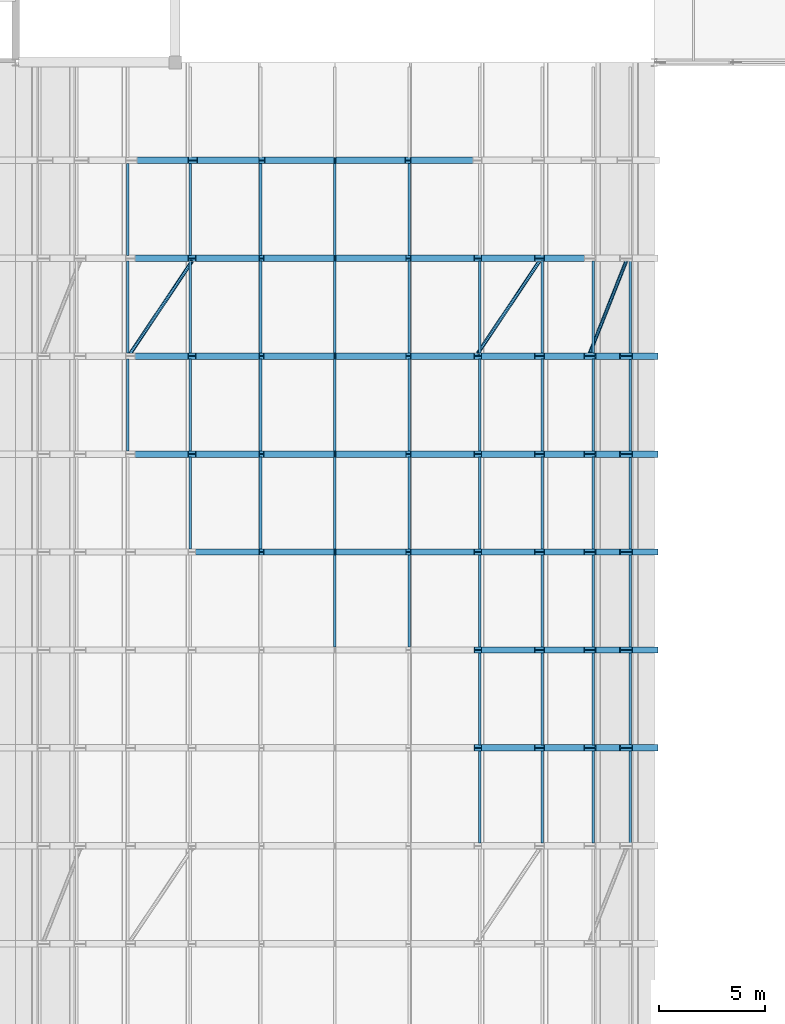
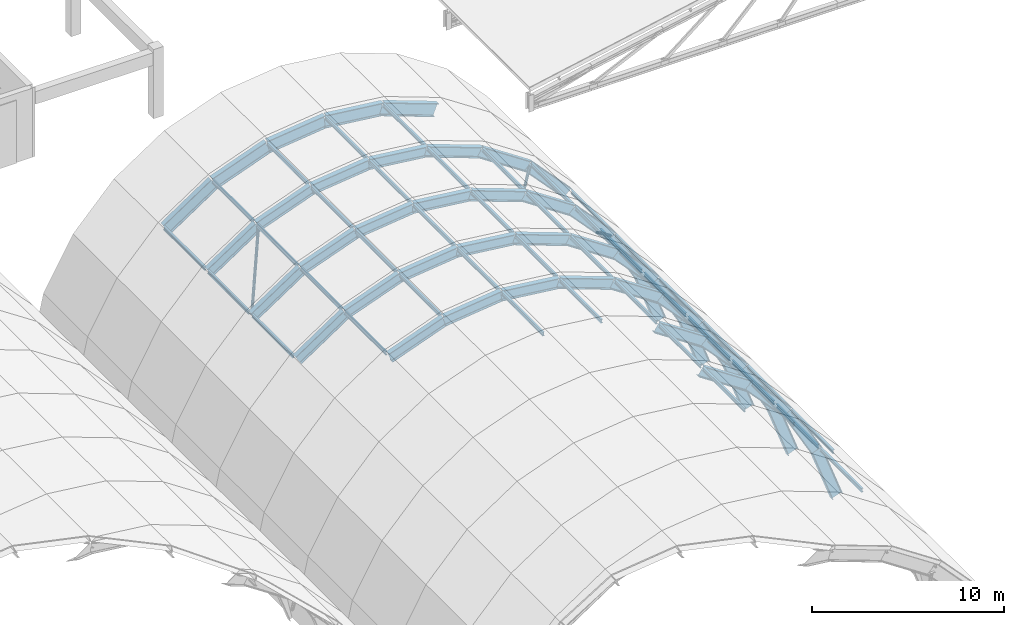
# One storey, part 15 of 47: 91 beams, 3 members.
"""IFC4 building model written with IfcOpenShell, lengths in metres."""

from ifc_helpers import new_model, si_unit, direction, frame, origin, origin_2d, place, context, subcontext, project, spatial, hollow_circle, i_section, extrude, material, material_profile, profile_set, type_object, element, save


model = new_model("IFC4")

# Units and contexts
model_context = context("Model", 3, precision=1e-05, world=origin(), true_north=direction((0.0, 1.0)))
body_context = subcontext(model_context, "Body", "Model", "MODEL_VIEW")
ifc_project = project(units=[si_unit("LENGTHUNIT", "METRE"), si_unit("AREAUNIT", "SQUARE_METRE"), si_unit("VOLUMEUNIT", "CUBIC_METRE"), si_unit("PLANEANGLEUNIT", "RADIAN"), si_unit("MASSUNIT", "GRAM", prefix="KILO")], contexts=[model_context])

# Site, building, storey
site_placement = place(None, origin())
site = spatial("IfcSite", under=ifc_project, at=site_placement, CompositionType="ELEMENT")
building_placement = place(site_placement, origin())
building = spatial("IfcBuilding", under=site, at=building_placement, Name="Muzn Square Opera House", CompositionType="ELEMENT")
storey_placement = place(building_placement, frame((0.0, 0.0, 31.0)))
storey = spatial("IfcBuildingStorey", under=building, at=storey_placement, Name="RF-1", CompositionType="ELEMENT", Elevation=31.0)

# Beams
ifc_material = material(Name="Steel S355", Category="steel")
ifc_material_profile_1 = material_profile(ifc_material, i_section(OverallWidth=0.300048828125, OverallDepth=0.800048828125, WebThickness=0.017578125, FlangeThickness=0.032958984375, FilletRadius=0.030029296875, at=origin_2d()), Name="HEB 800", Category="steel")
ifc_profile_set_1 = profile_set([ifc_material_profile_1], Name="Steel S355")
beam_type_1 = type_object("IfcBeamType", Name="Gable Arch Rib HEB800", PredefinedType="BEAM", material=ifc_profile_set_1)
for number, where, z_axis, x_axis, name in (
    (1, (108.444091796875, 68.0, -3.75048828125), (0.832701668502, 0.0, 0.553721889827), (0.0, 1.0, 0.0), "Barrel Vault Arch Rib V3-10-S03"),
    (2, (111.322509765625, 68.0, -1.83642578125), (0.938647830501, 0.0, 0.344877152471), (0.0, 1.0, 0.0), "Barrel Vault Arch Rib V3-10-S04"),
):
    element("IfcBeam", number, at=place(storey_placement, frame(where, z_axis=z_axis, x_axis=x_axis)), inside=storey, type_object=beam_type_1, Name=name, PredefinedType="BEAM", context=body_context, shape_type="SweptSolid", body=[
        extrude(i_section(OverallWidth=0.300048828125, OverallDepth=0.800048828125, WebThickness=0.017578125, FlangeThickness=0.032958984375, FilletRadius=0.030029296875, at=origin_2d()), origin(), (0.0, 0.0, 1.0), 3.456787109375),
    ])
for number, where, z_axis, x_axis, name in (
    (3, (114.567138671875, 68.0, -0.644287109375), (0.99313613312, 0.0, 0.116964187216), (0.0, 1.0, 0.0), "Barrel Vault Arch Rib V3-10-S05"),
    (4, (118.0, 68.0, -0.239990234375), (0.99313613312, 0.0, -0.116964187216), (0.0, 1.0, 0.0), "Barrel Vault Arch Rib V3-10-S06"),
):
    element("IfcBeam", number, at=place(storey_placement, frame(where, z_axis=z_axis, x_axis=x_axis)), inside=storey, type_object=beam_type_1, Name=name, PredefinedType="BEAM", context=body_context, shape_type="SweptSolid", body=[
        extrude(i_section(OverallWidth=0.300048828125, OverallDepth=0.800048828125, WebThickness=0.017578125, FlangeThickness=0.032958984375, FilletRadius=0.030029296875, at=origin_2d()), origin(), (0.0, 0.0, 1.0), 3.45654296875),
    ])
beam_1_placement = place(storey_placement, frame((121.432861328125, 68.0, -0.644287109375), z_axis=(0.938647830501, 0.0, -0.344877152471), x_axis=(0.0, 1.0, 0.0)))
element("IfcBeam", 5, at=beam_1_placement, inside=storey, type_object=beam_type_1, Name="Barrel Vault Arch Rib V3-10-S07", PredefinedType="BEAM", context=body_context, shape_type="SweptSolid", body=[
    extrude(i_section(OverallWidth=0.300048828125, OverallDepth=0.800048828125, WebThickness=0.017578125, FlangeThickness=0.032958984375, FilletRadius=0.030029296875, at=origin_2d()), origin(), (0.0, 0.0, 1.0), 3.456787109375),
])
ifc_material_profile_2 = material_profile(ifc_material, i_section(OverallWidth=0.1201171875, OverallDepth=0.239990234375, WebThickness=0.006103515625, FlangeThickness=0.009765625, FilletRadius=0.014892578125, at=origin_2d()), Name="IPE 240", Category="steel")
ifc_profile_set_2 = profile_set([ifc_material_profile_2], Name="Steel S355")
beam_type_2 = type_object("IfcBeamType", Name="Roof Purlin IPE240", PredefinedType="USERDEFINED", material=ifc_profile_set_2)
for number, where, z_axis, x_axis, name in (
    (6, (124.80419921875, 35.93994140625, -1.5869140625), (0.0, 1.0, 0.0), (-1.0, 0.0, 0.0), "Barrel Vault Roof Purlin V3-03-P16"),
    (7, (127.7373046875, 35.93994140625, -3.537109375), (0.0, 1.0, 0.0), (-1.0, 0.0, 0.0), "Barrel Vault Roof Purlin V3-03-P18"),
    (8, (130.13623046875, 35.93994140625, -6.1162109375), (0.0, 1.0, 0.0), (-1.0, 0.0, 0.0), "Barrel Vault Roof Purlin V3-03-P20"),
    (9, (131.869384765625, 35.93994140625, -9.1826171875), (0.0, 1.0, 0.0), (-1.0, 0.0, 0.0), "Barrel Vault Roof Purlin V3-03-P22"),
    (10, (124.80419921875, 40.5400390625, -1.5869140625), (0.0, 1.0, 0.0), (-1.0, 0.0, 0.0), "Barrel Vault Roof Purlin V3-04-P16"),
    (11, (127.7373046875, 40.5400390625, -3.537109375), (0.0, 1.0, 0.0), (-1.0, 0.0, 0.0), "Barrel Vault Roof Purlin V3-04-P18"),
    (12, (130.13623046875, 40.5400390625, -6.1162109375), (0.0, 1.0, 0.0), (-1.0, 0.0, 0.0), "Barrel Vault Roof Purlin V3-04-P20"),
    (13, (131.869384765625, 40.5400390625, -9.1826171875), (0.0, 1.0, 0.0), (-1.0, 0.0, 0.0), "Barrel Vault Roof Purlin V3-04-P22"),
    (14, (118.0, 45.139892578125, 0.0400390625), (0.0, 1.0, 0.0), (-1.0, 0.0, 0.0), "Barrel Vault Roof Purlin V3-05-P12"),
    (15, (121.498046875, 45.139892578125, -0.3720703125), (0.0, 1.0, 0.0), (-1.0, 0.0, 0.0), "Barrel Vault Roof Purlin V3-05-P14"),
    (16, (124.80419921875, 45.139892578125, -1.5869140625), (0.0, 1.0, 0.0), (-1.0, 0.0, 0.0), "Barrel Vault Roof Purlin V3-05-P16"),
    (17, (127.7373046875, 45.139892578125, -3.537109375), (0.0, 1.0, 0.0), (-1.0, 0.0, 0.0), "Barrel Vault Roof Purlin V3-05-P18"),
    (18, (130.13623046875, 45.139892578125, -6.1162109375), (0.0, 1.0, 0.0), (-1.0, 0.0, 0.0), "Barrel Vault Roof Purlin V3-05-P20"),
    (19, (131.869384765625, 45.139892578125, -9.1826171875), (0.0, 1.0, 0.0), (-1.0, 0.0, 0.0), "Barrel Vault Roof Purlin V3-05-P22"),
    (20, (111.19580078125, 49.739990234375, -1.5869140625), (0.0, 1.0, 0.0), (-1.0, 0.0, 0.0), "Barrel Vault Roof Purlin V3-06-P08"),
    (21, (114.501953125, 49.739990234375, -0.3720703125), (0.0, 1.0, 0.0), (-1.0, 0.0, 0.0), "Barrel Vault Roof Purlin V3-06-P10"),
    (22, (118.0, 49.739990234375, 0.0400390625), (0.0, 1.0, 0.0), (-1.0, 0.0, 0.0), "Barrel Vault Roof Purlin V3-06-P12"),
    (23, (121.498046875, 49.739990234375, -0.3720703125), (0.0, 1.0, 0.0), (-1.0, 0.0, 0.0), "Barrel Vault Roof Purlin V3-06-P14"),
    (24, (124.80419921875, 49.739990234375, -1.5869140625), (0.0, 1.0, 0.0), (-1.0, 0.0, 0.0), "Barrel Vault Roof Purlin V3-06-P16"),
    (25, (127.7373046875, 49.739990234375, -3.537109375), (0.0, 1.0, 0.0), (-1.0, 0.0, 0.0), "Barrel Vault Roof Purlin V3-06-P18"),
    (26, (130.13623046875, 49.739990234375, -6.1162109375), (0.0, 1.0, 0.0), (-1.0, 0.0, 0.0), "Barrel Vault Roof Purlin V3-06-P20"),
    (27, (131.869384765625, 49.739990234375, -9.1826171875), (0.0, 1.0, 0.0), (-1.0, 0.0, 0.0), "Barrel Vault Roof Purlin V3-06-P22"),
):
    element("IfcBeam", number, at=place(storey_placement, frame(where, z_axis=z_axis, x_axis=x_axis)), inside=storey, type_object=beam_type_2, Name=name, ObjectType="PURLIN", PredefinedType="USERDEFINED", context=body_context, shape_type="SweptSolid", body=[
        extrude(i_section(OverallWidth=0.1201171875, OverallDepth=0.239990234375, WebThickness=0.006103515625, FlangeThickness=0.009765625, FilletRadius=0.014892578125, at=origin_2d()), origin(), (0.0, 0.0, 1.0), 4.320068359375),
    ])
for number, where, z_axis, x_axis, name in (
    (28, (108.2626953125, 54.340087890625, -3.537109375), (0.0, 1.0, 0.0), (-1.0, 0.0, 0.0), "Barrel Vault Roof Purlin V3-07-P06"),
    (29, (111.19580078125, 54.340087890625, -1.5869140625), (0.0, 1.0, 0.0), (-1.0, 0.0, 0.0), "Barrel Vault Roof Purlin V3-07-P08"),
    (30, (114.501953125, 54.340087890625, -0.3720703125), (0.0, 1.0, 0.0), (-1.0, 0.0, 0.0), "Barrel Vault Roof Purlin V3-07-P10"),
    (31, (118.0, 54.340087890625, 0.0400390625), (0.0, 1.0, 0.0), (-1.0, 0.0, 0.0), "Barrel Vault Roof Purlin V3-07-P12"),
    (32, (121.498046875, 54.340087890625, -0.3720703125), (0.0, 1.0, 0.0), (-1.0, 0.0, 0.0), "Barrel Vault Roof Purlin V3-07-P14"),
    (33, (124.80419921875, 54.340087890625, -1.5869140625), (0.0, 1.0, 0.0), (-1.0, 0.0, 0.0), "Barrel Vault Roof Purlin V3-07-P16"),
    (34, (127.7373046875, 54.340087890625, -3.537109375), (0.0, 1.0, 0.0), (-1.0, 0.0, 0.0), "Barrel Vault Roof Purlin V3-07-P18"),
    (35, (130.13623046875, 54.340087890625, -6.1162109375), (0.0, 1.0, 0.0), (-1.0, 0.0, 0.0), "Barrel Vault Roof Purlin V3-07-P20"),
    (36, (131.869384765625, 54.340087890625, -9.1826171875), (0.0, 1.0, 0.0), (-1.0, 0.0, 0.0), "Barrel Vault Roof Purlin V3-07-P22"),
):
    element("IfcBeam", number, at=place(storey_placement, frame(where, z_axis=z_axis, x_axis=x_axis)), inside=storey, type_object=beam_type_2, Name=name, ObjectType="PURLIN", PredefinedType="USERDEFINED", context=body_context, shape_type="SweptSolid", body=[
        extrude(i_section(OverallWidth=0.1201171875, OverallDepth=0.239990234375, WebThickness=0.006103515625, FlangeThickness=0.009765625, FilletRadius=0.014892578125, at=origin_2d()), origin(), (0.0, 0.0, 1.0), 4.31982421875),
    ])
for number, where, z_axis, x_axis, name in (
    (37, (108.2626953125, 58.93994140625, -3.537109375), (0.0, 1.0, 0.0), (-1.0, 0.0, 0.0), "Barrel Vault Roof Purlin V3-08-P06"),
    (38, (111.19580078125, 58.93994140625, -1.5869140625), (0.0, 1.0, 0.0), (-1.0, 0.0, 0.0), "Barrel Vault Roof Purlin V3-08-P08"),
    (39, (114.501953125, 58.93994140625, -0.3720703125), (0.0, 1.0, 0.0), (-1.0, 0.0, 0.0), "Barrel Vault Roof Purlin V3-08-P10"),
    (40, (118.0, 58.93994140625, 0.0400390625), (0.0, 1.0, 0.0), (-1.0, 0.0, 0.0), "Barrel Vault Roof Purlin V3-08-P12"),
    (41, (121.498046875, 58.93994140625, -0.3720703125), (0.0, 1.0, 0.0), (-1.0, 0.0, 0.0), "Barrel Vault Roof Purlin V3-08-P14"),
    (42, (124.80419921875, 58.93994140625, -1.5869140625), (0.0, 1.0, 0.0), (-1.0, 0.0, 0.0), "Barrel Vault Roof Purlin V3-08-P16"),
    (43, (127.7373046875, 58.93994140625, -3.537109375), (0.0, 1.0, 0.0), (-1.0, 0.0, 0.0), "Barrel Vault Roof Purlin V3-08-P18"),
    (44, (130.13623046875, 58.93994140625, -6.1162109375), (0.0, 1.0, 0.0), (-1.0, 0.0, 0.0), "Barrel Vault Roof Purlin V3-08-P20"),
    (45, (131.869384765625, 58.93994140625, -9.1826171875), (0.0, 1.0, 0.0), (-1.0, 0.0, 0.0), "Barrel Vault Roof Purlin V3-08-P22"),
    (46, (108.2626953125, 63.5400390625, -3.537109375), (0.0, 1.0, 0.0), (-1.0, 0.0, 0.0), "Barrel Vault Roof Purlin V3-09-P06"),
    (47, (111.19580078125, 63.5400390625, -1.5869140625), (0.0, 1.0, 0.0), (-1.0, 0.0, 0.0), "Barrel Vault Roof Purlin V3-09-P08"),
    (48, (114.501953125, 63.5400390625, -0.3720703125), (0.0, 1.0, 0.0), (-1.0, 0.0, 0.0), "Barrel Vault Roof Purlin V3-09-P10"),
    (49, (118.0, 63.5400390625, 0.0400390625), (0.0, 1.0, 0.0), (-1.0, 0.0, 0.0), "Barrel Vault Roof Purlin V3-09-P12"),
    (50, (121.498046875, 63.5400390625, -0.3720703125), (0.0, 1.0, 0.0), (-1.0, 0.0, 0.0), "Barrel Vault Roof Purlin V3-09-P14"),
):
    element("IfcBeam", number, at=place(storey_placement, frame(where, z_axis=z_axis, x_axis=x_axis)), inside=storey, type_object=beam_type_2, Name=name, ObjectType="PURLIN", PredefinedType="USERDEFINED", context=body_context, shape_type="SweptSolid", body=[
        extrude(i_section(OverallWidth=0.1201171875, OverallDepth=0.239990234375, WebThickness=0.006103515625, FlangeThickness=0.009765625, FilletRadius=0.014892578125, at=origin_2d()), origin(), (0.0, 0.0, 1.0), 4.320068359375),
    ])
ifc_material_profile_3 = material_profile(ifc_material, i_section(OverallWidth=0.300048828125, OverallDepth=0.64990234375, WebThickness=0.01611328125, FlangeThickness=0.031005859375, FilletRadius=0.027099609375, at=origin_2d()), Name="HEB 650", Category="steel")
ifc_profile_set_3 = profile_set([ifc_material_profile_3], Name="Steel S355")
beam_type_3 = type_object("IfcBeamType", Name="Vault Arch Rib HEB650", PredefinedType="BEAM", material=ifc_profile_set_3)
for number, where, z_axis, x_axis, name in (
    (51, (124.71142578125, 40.39990234375, -1.76953125), (0.832698370736, 0.0, -0.553726849063), (0.0, 1.0, 0.0), "Barrel Vault Arch Rib V3-04-S08"),
    (52, (127.6044921875, 40.39990234375, -3.693359375), (0.681065393401, 0.0, -0.732222595876), (0.0, 1.0, 0.0), "Barrel Vault Arch Rib V3-04-S09"),
):
    element("IfcBeam", number, at=place(storey_placement, frame(where, z_axis=z_axis, x_axis=x_axis)), inside=storey, type_object=beam_type_3, Name=name, PredefinedType="BEAM", context=body_context, shape_type="SweptSolid", body=[
        extrude(i_section(OverallWidth=0.300048828125, OverallDepth=0.64990234375, WebThickness=0.01611328125, FlangeThickness=0.031005859375, FilletRadius=0.027099609375, at=origin_2d()), origin(), (0.0, 0.0, 1.0), 3.474365234375),
    ])
beam_2_placement = place(storey_placement, frame((129.970703125, 40.39990234375, -6.2373046875), z_axis=(0.492115144444, 0.0, -0.870530117003), x_axis=(0.0, 1.0, 0.0)))
element("IfcBeam", 53, at=beam_2_placement, inside=storey, type_object=beam_type_3, Name="Barrel Vault Arch Rib V3-04-S10", PredefinedType="BEAM", context=body_context, shape_type="SweptSolid", body=[
    extrude(i_section(OverallWidth=0.300048828125, OverallDepth=0.64990234375, WebThickness=0.01611328125, FlangeThickness=0.031005859375, FilletRadius=0.027099609375, at=origin_2d()), origin(), (0.0, 0.0, 1.0), 3.47412109375),
])
beam_3_placement = place(storey_placement, frame((131.680419921875, 40.39990234375, -9.26171875), z_axis=(0.342678144973, 0.0, -0.93945286681), x_axis=(0.0, 1.0, 0.0)))
element("IfcBeam", 54, at=beam_3_placement, inside=storey, type_object=beam_type_3, Name="Barrel Vault Arch Rib V3-04-S11", PredefinedType="BEAM", context=body_context, shape_type="SweptSolid", body=[
    extrude(i_section(OverallWidth=0.300048828125, OverallDepth=0.64990234375, WebThickness=0.01611328125, FlangeThickness=0.031005859375, FilletRadius=0.027099609375, at=origin_2d()), origin(), (0.0, 0.0, 1.0), 3.500244140625),
])
for number, where, z_axis, x_axis, name in (
    (55, (124.71142578125, 45.0, -1.76953125), (0.832698370736, 0.0, -0.553726849063), (0.0, 1.0, 0.0), "Barrel Vault Arch Rib V3-05-S08"),
    (56, (127.6044921875, 45.0, -3.693359375), (0.681065393401, 0.0, -0.732222595876), (0.0, 1.0, 0.0), "Barrel Vault Arch Rib V3-05-S09"),
):
    element("IfcBeam", number, at=place(storey_placement, frame(where, z_axis=z_axis, x_axis=x_axis)), inside=storey, type_object=beam_type_3, Name=name, PredefinedType="BEAM", context=body_context, shape_type="SweptSolid", body=[
        extrude(i_section(OverallWidth=0.300048828125, OverallDepth=0.64990234375, WebThickness=0.01611328125, FlangeThickness=0.031005859375, FilletRadius=0.027099609375, at=origin_2d()), origin(), (0.0, 0.0, 1.0), 3.474365234375),
    ])
beam_4_placement = place(storey_placement, frame((129.970703125, 45.0, -6.2373046875), z_axis=(0.492115144444, 0.0, -0.870530117003), x_axis=(0.0, 1.0, 0.0)))
element("IfcBeam", 57, at=beam_4_placement, inside=storey, type_object=beam_type_3, Name="Barrel Vault Arch Rib V3-05-S10", PredefinedType="BEAM", context=body_context, shape_type="SweptSolid", body=[
    extrude(i_section(OverallWidth=0.300048828125, OverallDepth=0.64990234375, WebThickness=0.01611328125, FlangeThickness=0.031005859375, FilletRadius=0.027099609375, at=origin_2d()), origin(), (0.0, 0.0, 1.0), 3.47412109375),
])
beam_5_placement = place(storey_placement, frame((131.680419921875, 45.0, -9.26171875), z_axis=(0.342678144973, 0.0, -0.93945286681), x_axis=(0.0, 1.0, 0.0)))
element("IfcBeam", 58, at=beam_5_placement, inside=storey, type_object=beam_type_3, Name="Barrel Vault Arch Rib V3-05-S11", PredefinedType="BEAM", context=body_context, shape_type="SweptSolid", body=[
    extrude(i_section(OverallWidth=0.300048828125, OverallDepth=0.64990234375, WebThickness=0.01611328125, FlangeThickness=0.031005859375, FilletRadius=0.027099609375, at=origin_2d()), origin(), (0.0, 0.0, 1.0), 3.500244140625),
])
beam_6_placement = place(storey_placement, frame((111.28857421875, 49.60009765625, -1.76953125), z_axis=(0.938661867851, 0.0, 0.344838944789), x_axis=(0.0, 1.0, 0.0)))
element("IfcBeam", 59, at=beam_6_placement, inside=storey, type_object=beam_type_3, Name="Barrel Vault Arch Rib V3-06-S04", PredefinedType="BEAM", context=body_context, shape_type="SweptSolid", body=[
    extrude(i_section(OverallWidth=0.300048828125, OverallDepth=0.64990234375, WebThickness=0.01611328125, FlangeThickness=0.031005859375, FilletRadius=0.027099609375, at=origin_2d()), origin(), (0.0, 0.0, 1.0), 3.47412109375),
])
for number, where, z_axis, x_axis, name in (
    (60, (114.549560546875, 49.60009765625, -0.571533203125), (0.993131884792, 0.0, 0.117000253887), (0.0, 1.0, 0.0), "Barrel Vault Arch Rib V3-06-S05"),
    (61, (118.0, 49.60009765625, -0.1650390625), (0.993131884792, 0.0, -0.117000253887), (0.0, 1.0, 0.0), "Barrel Vault Arch Rib V3-06-S06"),
):
    element("IfcBeam", number, at=place(storey_placement, frame(where, z_axis=z_axis, x_axis=x_axis)), inside=storey, type_object=beam_type_3, Name=name, PredefinedType="BEAM", context=body_context, shape_type="SweptSolid", body=[
        extrude(i_section(OverallWidth=0.300048828125, OverallDepth=0.64990234375, WebThickness=0.01611328125, FlangeThickness=0.031005859375, FilletRadius=0.027099609375, at=origin_2d()), origin(), (0.0, 0.0, 1.0), 3.474365234375),
    ])
beam_7_placement = place(storey_placement, frame((121.450439453125, 49.60009765625, -0.571533203125), z_axis=(0.938661867851, 0.0, -0.344838944789), x_axis=(0.0, 1.0, 0.0)))
element("IfcBeam", 62, at=beam_7_placement, inside=storey, type_object=beam_type_3, Name="Barrel Vault Arch Rib V3-06-S07", PredefinedType="BEAM", context=body_context, shape_type="SweptSolid", body=[
    extrude(i_section(OverallWidth=0.300048828125, OverallDepth=0.64990234375, WebThickness=0.01611328125, FlangeThickness=0.031005859375, FilletRadius=0.027099609375, at=origin_2d()), origin(), (0.0, 0.0, 1.0), 3.47412109375),
])
for number, where, z_axis, x_axis, name in (
    (63, (124.71142578125, 49.60009765625, -1.76953125), (0.832698370736, 0.0, -0.553726849063), (0.0, 1.0, 0.0), "Barrel Vault Arch Rib V3-06-S08"),
    (64, (127.6044921875, 49.60009765625, -3.693359375), (0.681065393401, 0.0, -0.732222595876), (0.0, 1.0, 0.0), "Barrel Vault Arch Rib V3-06-S09"),
):
    element("IfcBeam", number, at=place(storey_placement, frame(where, z_axis=z_axis, x_axis=x_axis)), inside=storey, type_object=beam_type_3, Name=name, PredefinedType="BEAM", context=body_context, shape_type="SweptSolid", body=[
        extrude(i_section(OverallWidth=0.300048828125, OverallDepth=0.64990234375, WebThickness=0.01611328125, FlangeThickness=0.031005859375, FilletRadius=0.027099609375, at=origin_2d()), origin(), (0.0, 0.0, 1.0), 3.474365234375),
    ])
beam_8_placement = place(storey_placement, frame((129.970703125, 49.60009765625, -6.2373046875), z_axis=(0.492115144444, 0.0, -0.870530117003), x_axis=(0.0, 1.0, 0.0)))
element("IfcBeam", 65, at=beam_8_placement, inside=storey, type_object=beam_type_3, Name="Barrel Vault Arch Rib V3-06-S10", PredefinedType="BEAM", context=body_context, shape_type="SweptSolid", body=[
    extrude(i_section(OverallWidth=0.300048828125, OverallDepth=0.64990234375, WebThickness=0.01611328125, FlangeThickness=0.031005859375, FilletRadius=0.027099609375, at=origin_2d()), origin(), (0.0, 0.0, 1.0), 3.47412109375),
])
beam_9_placement = place(storey_placement, frame((131.680419921875, 49.60009765625, -9.26171875), z_axis=(0.342678144973, 0.0, -0.93945286681), x_axis=(0.0, 1.0, 0.0)))
element("IfcBeam", 66, at=beam_9_placement, inside=storey, type_object=beam_type_3, Name="Barrel Vault Arch Rib V3-06-S11", PredefinedType="BEAM", context=body_context, shape_type="SweptSolid", body=[
    extrude(i_section(OverallWidth=0.300048828125, OverallDepth=0.64990234375, WebThickness=0.01611328125, FlangeThickness=0.031005859375, FilletRadius=0.027099609375, at=origin_2d()), origin(), (0.0, 0.0, 1.0), 3.500244140625),
])
beam_10_placement = place(storey_placement, frame((108.3955078125, 54.199951171875, -3.693359375), z_axis=(0.832698370736, 0.0, 0.553726849063), x_axis=(0.0, 1.0, 0.0)))
element("IfcBeam", 67, at=beam_10_placement, inside=storey, type_object=beam_type_3, Name="Barrel Vault Arch Rib V3-07-S03", PredefinedType="BEAM", context=body_context, shape_type="SweptSolid", body=[
    extrude(i_section(OverallWidth=0.300048828125, OverallDepth=0.64990234375, WebThickness=0.01611328125, FlangeThickness=0.031005859375, FilletRadius=0.027099609375, at=origin_2d()), origin(), (0.0, 0.0, 1.0), 3.474365234375),
])
beam_11_placement = place(storey_placement, frame((111.28857421875, 54.199951171875, -1.76953125), z_axis=(0.938661867851, 0.0, 0.344838944789), x_axis=(0.0, 1.0, 0.0)))
element("IfcBeam", 68, at=beam_11_placement, inside=storey, type_object=beam_type_3, Name="Barrel Vault Arch Rib V3-07-S04", PredefinedType="BEAM", context=body_context, shape_type="SweptSolid", body=[
    extrude(i_section(OverallWidth=0.300048828125, OverallDepth=0.64990234375, WebThickness=0.01611328125, FlangeThickness=0.031005859375, FilletRadius=0.027099609375, at=origin_2d()), origin(), (0.0, 0.0, 1.0), 3.47412109375),
])
for number, where, z_axis, x_axis, name in (
    (69, (114.549560546875, 54.199951171875, -0.571533203125), (0.993131884792, 0.0, 0.117000253887), (0.0, 1.0, 0.0), "Barrel Vault Arch Rib V3-07-S05"),
    (70, (118.0, 54.199951171875, -0.1650390625), (0.993131884792, 0.0, -0.117000253887), (0.0, 1.0, 0.0), "Barrel Vault Arch Rib V3-07-S06"),
):
    element("IfcBeam", number, at=place(storey_placement, frame(where, z_axis=z_axis, x_axis=x_axis)), inside=storey, type_object=beam_type_3, Name=name, PredefinedType="BEAM", context=body_context, shape_type="SweptSolid", body=[
        extrude(i_section(OverallWidth=0.300048828125, OverallDepth=0.64990234375, WebThickness=0.01611328125, FlangeThickness=0.031005859375, FilletRadius=0.027099609375, at=origin_2d()), origin(), (0.0, 0.0, 1.0), 3.474365234375),
    ])
beam_12_placement = place(storey_placement, frame((121.450439453125, 54.199951171875, -0.571533203125), z_axis=(0.938661867851, 0.0, -0.344838944789), x_axis=(0.0, 1.0, 0.0)))
element("IfcBeam", 71, at=beam_12_placement, inside=storey, type_object=beam_type_3, Name="Barrel Vault Arch Rib V3-07-S07", PredefinedType="BEAM", context=body_context, shape_type="SweptSolid", body=[
    extrude(i_section(OverallWidth=0.300048828125, OverallDepth=0.64990234375, WebThickness=0.01611328125, FlangeThickness=0.031005859375, FilletRadius=0.027099609375, at=origin_2d()), origin(), (0.0, 0.0, 1.0), 3.47412109375),
])
for number, where, z_axis, x_axis, name in (
    (72, (124.71142578125, 54.199951171875, -1.76953125), (0.832698370736, 0.0, -0.553726849063), (0.0, 1.0, 0.0), "Barrel Vault Arch Rib V3-07-S08"),
    (73, (127.6044921875, 54.199951171875, -3.693359375), (0.681065393401, 0.0, -0.732222595876), (0.0, 1.0, 0.0), "Barrel Vault Arch Rib V3-07-S09"),
):
    element("IfcBeam", number, at=place(storey_placement, frame(where, z_axis=z_axis, x_axis=x_axis)), inside=storey, type_object=beam_type_3, Name=name, PredefinedType="BEAM", context=body_context, shape_type="SweptSolid", body=[
        extrude(i_section(OverallWidth=0.300048828125, OverallDepth=0.64990234375, WebThickness=0.01611328125, FlangeThickness=0.031005859375, FilletRadius=0.027099609375, at=origin_2d()), origin(), (0.0, 0.0, 1.0), 3.474365234375),
    ])
beam_13_placement = place(storey_placement, frame((129.970703125, 54.199951171875, -6.2373046875), z_axis=(0.492115144444, 0.0, -0.870530117003), x_axis=(0.0, 1.0, 0.0)))
element("IfcBeam", 74, at=beam_13_placement, inside=storey, type_object=beam_type_3, Name="Barrel Vault Arch Rib V3-07-S10", PredefinedType="BEAM", context=body_context, shape_type="SweptSolid", body=[
    extrude(i_section(OverallWidth=0.300048828125, OverallDepth=0.64990234375, WebThickness=0.01611328125, FlangeThickness=0.031005859375, FilletRadius=0.027099609375, at=origin_2d()), origin(), (0.0, 0.0, 1.0), 3.47412109375),
])
beam_14_placement = place(storey_placement, frame((131.680419921875, 54.199951171875, -9.26171875), z_axis=(0.342678144973, 0.0, -0.93945286681), x_axis=(0.0, 1.0, 0.0)))
element("IfcBeam", 75, at=beam_14_placement, inside=storey, type_object=beam_type_3, Name="Barrel Vault Arch Rib V3-07-S11", PredefinedType="BEAM", context=body_context, shape_type="SweptSolid", body=[
    extrude(i_section(OverallWidth=0.300048828125, OverallDepth=0.64990234375, WebThickness=0.01611328125, FlangeThickness=0.031005859375, FilletRadius=0.027099609375, at=origin_2d()), origin(), (0.0, 0.0, 1.0), 3.500244140625),
])
beam_15_placement = place(storey_placement, frame((108.3955078125, 58.800048828125, -3.693359375), z_axis=(0.832698370736, 0.0, 0.553726849063), x_axis=(0.0, 1.0, 0.0)))
element("IfcBeam", 76, at=beam_15_placement, inside=storey, type_object=beam_type_3, Name="Barrel Vault Arch Rib V3-08-S03", PredefinedType="BEAM", context=body_context, shape_type="SweptSolid", body=[
    extrude(i_section(OverallWidth=0.300048828125, OverallDepth=0.64990234375, WebThickness=0.01611328125, FlangeThickness=0.031005859375, FilletRadius=0.027099609375, at=origin_2d()), origin(), (0.0, 0.0, 1.0), 3.474365234375),
])
beam_16_placement = place(storey_placement, frame((111.28857421875, 58.800048828125, -1.76953125), z_axis=(0.938661867851, 0.0, 0.344838944789), x_axis=(0.0, 1.0, 0.0)))
element("IfcBeam", 77, at=beam_16_placement, inside=storey, type_object=beam_type_3, Name="Barrel Vault Arch Rib V3-08-S04", PredefinedType="BEAM", context=body_context, shape_type="SweptSolid", body=[
    extrude(i_section(OverallWidth=0.300048828125, OverallDepth=0.64990234375, WebThickness=0.01611328125, FlangeThickness=0.031005859375, FilletRadius=0.027099609375, at=origin_2d()), origin(), (0.0, 0.0, 1.0), 3.47412109375),
])
for number, where, z_axis, x_axis, name in (
    (78, (114.549560546875, 58.800048828125, -0.571533203125), (0.993131884792, 0.0, 0.117000253887), (0.0, 1.0, 0.0), "Barrel Vault Arch Rib V3-08-S05"),
    (79, (118.0, 58.800048828125, -0.1650390625), (0.993131884792, 0.0, -0.117000253887), (0.0, 1.0, 0.0), "Barrel Vault Arch Rib V3-08-S06"),
):
    element("IfcBeam", number, at=place(storey_placement, frame(where, z_axis=z_axis, x_axis=x_axis)), inside=storey, type_object=beam_type_3, Name=name, PredefinedType="BEAM", context=body_context, shape_type="SweptSolid", body=[
        extrude(i_section(OverallWidth=0.300048828125, OverallDepth=0.64990234375, WebThickness=0.01611328125, FlangeThickness=0.031005859375, FilletRadius=0.027099609375, at=origin_2d()), origin(), (0.0, 0.0, 1.0), 3.474365234375),
    ])
beam_17_placement = place(storey_placement, frame((121.450439453125, 58.800048828125, -0.571533203125), z_axis=(0.938661867851, 0.0, -0.344838944789), x_axis=(0.0, 1.0, 0.0)))
element("IfcBeam", 80, at=beam_17_placement, inside=storey, type_object=beam_type_3, Name="Barrel Vault Arch Rib V3-08-S07", PredefinedType="BEAM", context=body_context, shape_type="SweptSolid", body=[
    extrude(i_section(OverallWidth=0.300048828125, OverallDepth=0.64990234375, WebThickness=0.01611328125, FlangeThickness=0.031005859375, FilletRadius=0.027099609375, at=origin_2d()), origin(), (0.0, 0.0, 1.0), 3.47412109375),
])
for number, where, z_axis, x_axis, name in (
    (81, (124.71142578125, 58.800048828125, -1.76953125), (0.832698370736, 0.0, -0.553726849063), (0.0, 1.0, 0.0), "Barrel Vault Arch Rib V3-08-S08"),
    (82, (127.6044921875, 58.800048828125, -3.693359375), (0.681065393401, 0.0, -0.732222595876), (0.0, 1.0, 0.0), "Barrel Vault Arch Rib V3-08-S09"),
):
    element("IfcBeam", number, at=place(storey_placement, frame(where, z_axis=z_axis, x_axis=x_axis)), inside=storey, type_object=beam_type_3, Name=name, PredefinedType="BEAM", context=body_context, shape_type="SweptSolid", body=[
        extrude(i_section(OverallWidth=0.300048828125, OverallDepth=0.64990234375, WebThickness=0.01611328125, FlangeThickness=0.031005859375, FilletRadius=0.027099609375, at=origin_2d()), origin(), (0.0, 0.0, 1.0), 3.474365234375),
    ])
beam_18_placement = place(storey_placement, frame((129.970703125, 58.800048828125, -6.2373046875), z_axis=(0.492115144444, 0.0, -0.870530117003), x_axis=(0.0, 1.0, 0.0)))
element("IfcBeam", 83, at=beam_18_placement, inside=storey, type_object=beam_type_3, Name="Barrel Vault Arch Rib V3-08-S10", PredefinedType="BEAM", context=body_context, shape_type="SweptSolid", body=[
    extrude(i_section(OverallWidth=0.300048828125, OverallDepth=0.64990234375, WebThickness=0.01611328125, FlangeThickness=0.031005859375, FilletRadius=0.027099609375, at=origin_2d()), origin(), (0.0, 0.0, 1.0), 3.47412109375),
])
beam_19_placement = place(storey_placement, frame((131.680419921875, 58.800048828125, -9.26171875), z_axis=(0.342678144973, 0.0, -0.93945286681), x_axis=(0.0, 1.0, 0.0)))
element("IfcBeam", 84, at=beam_19_placement, inside=storey, type_object=beam_type_3, Name="Barrel Vault Arch Rib V3-08-S11", PredefinedType="BEAM", context=body_context, shape_type="SweptSolid", body=[
    extrude(i_section(OverallWidth=0.300048828125, OverallDepth=0.64990234375, WebThickness=0.01611328125, FlangeThickness=0.031005859375, FilletRadius=0.027099609375, at=origin_2d()), origin(), (0.0, 0.0, 1.0), 3.500244140625),
])
beam_20_placement = place(storey_placement, frame((108.3955078125, 63.39990234375, -3.693359375), z_axis=(0.832698370736, 0.0, 0.553726849063), x_axis=(0.0, 1.0, 0.0)))
element("IfcBeam", 85, at=beam_20_placement, inside=storey, type_object=beam_type_3, Name="Barrel Vault Arch Rib V3-09-S03", PredefinedType="BEAM", context=body_context, shape_type="SweptSolid", body=[
    extrude(i_section(OverallWidth=0.300048828125, OverallDepth=0.64990234375, WebThickness=0.01611328125, FlangeThickness=0.031005859375, FilletRadius=0.027099609375, at=origin_2d()), origin(), (0.0, 0.0, 1.0), 3.474365234375),
])
beam_21_placement = place(storey_placement, frame((111.28857421875, 63.39990234375, -1.76953125), z_axis=(0.938661867851, 0.0, 0.344838944789), x_axis=(0.0, 1.0, 0.0)))
element("IfcBeam", 86, at=beam_21_placement, inside=storey, type_object=beam_type_3, Name="Barrel Vault Arch Rib V3-09-S04", PredefinedType="BEAM", context=body_context, shape_type="SweptSolid", body=[
    extrude(i_section(OverallWidth=0.300048828125, OverallDepth=0.64990234375, WebThickness=0.01611328125, FlangeThickness=0.031005859375, FilletRadius=0.027099609375, at=origin_2d()), origin(), (0.0, 0.0, 1.0), 3.47412109375),
])
for number, where, z_axis, x_axis, name in (
    (87, (114.549560546875, 63.39990234375, -0.571533203125), (0.993131884792, 0.0, 0.117000253887), (0.0, 1.0, 0.0), "Barrel Vault Arch Rib V3-09-S05"),
    (88, (118.0, 63.39990234375, -0.1650390625), (0.993131884792, 0.0, -0.117000253887), (0.0, 1.0, 0.0), "Barrel Vault Arch Rib V3-09-S06"),
):
    element("IfcBeam", number, at=place(storey_placement, frame(where, z_axis=z_axis, x_axis=x_axis)), inside=storey, type_object=beam_type_3, Name=name, PredefinedType="BEAM", context=body_context, shape_type="SweptSolid", body=[
        extrude(i_section(OverallWidth=0.300048828125, OverallDepth=0.64990234375, WebThickness=0.01611328125, FlangeThickness=0.031005859375, FilletRadius=0.027099609375, at=origin_2d()), origin(), (0.0, 0.0, 1.0), 3.474365234375),
    ])
beam_22_placement = place(storey_placement, frame((121.450439453125, 63.39990234375, -0.571533203125), z_axis=(0.938661867851, 0.0, -0.344838944789), x_axis=(0.0, 1.0, 0.0)))
element("IfcBeam", 89, at=beam_22_placement, inside=storey, type_object=beam_type_3, Name="Barrel Vault Arch Rib V3-09-S07", PredefinedType="BEAM", context=body_context, shape_type="SweptSolid", body=[
    extrude(i_section(OverallWidth=0.300048828125, OverallDepth=0.64990234375, WebThickness=0.01611328125, FlangeThickness=0.031005859375, FilletRadius=0.027099609375, at=origin_2d()), origin(), (0.0, 0.0, 1.0), 3.47412109375),
])
for number, where, z_axis, x_axis, name in (
    (90, (124.71142578125, 63.39990234375, -1.76953125), (0.832698370736, 0.0, -0.553726849063), (0.0, 1.0, 0.0), "Barrel Vault Arch Rib V3-09-S08"),
    (91, (127.6044921875, 63.39990234375, -3.693359375), (0.681065393401, 0.0, -0.732222595876), (0.0, 1.0, 0.0), "Barrel Vault Arch Rib V3-09-S09"),
):
    element("IfcBeam", number, at=place(storey_placement, frame(where, z_axis=z_axis, x_axis=x_axis)), inside=storey, type_object=beam_type_3, Name=name, PredefinedType="BEAM", context=body_context, shape_type="SweptSolid", body=[
        extrude(i_section(OverallWidth=0.300048828125, OverallDepth=0.64990234375, WebThickness=0.01611328125, FlangeThickness=0.031005859375, FilletRadius=0.027099609375, at=origin_2d()), origin(), (0.0, 0.0, 1.0), 3.474365234375),
    ])

# Members
ifc_material_profile_4 = material_profile(ifc_material, hollow_circle(Radius=0.084228515625, WallThickness=0.010009765625, at=origin_2d()), Name="CHS 168.3x10", Category="steel")
ifc_profile_set_4 = profile_set([ifc_material_profile_4], Name="Steel S355")
member_type = type_object("IfcMemberType", Name="Vault Wind Brace CHS168", PredefinedType="BRACE", material=ifc_profile_set_4)
for number, where, z_axis, x_axis, name in (
    (92, (108.3955078125, 58.93994140625, -3.693359375), (0.521854332426, 0.779258431416, 0.347022121478), (-0.830892639322, 0.55643276496, 0.0), "Barrel Vault Wind Brace V3-08-08"),
    (93, (124.71142578125, 58.93994140625, -1.76953125), (0.521854332426, 0.779258431416, -0.347022121478), (-0.830892639322, 0.55643276496, 0.0), "Barrel Vault Wind Brace V3-08-14"),
    (94, (129.970703125, 58.93994140625, -6.2373046875), (0.308404189508, 0.779267761438, -0.545553491308), (-0.929829464055, 0.367990716969, 0.0), "Barrel Vault Wind Brace V3-08-18"),
):
    element("IfcMember", number, at=place(storey_placement, frame(where, z_axis=z_axis, x_axis=x_axis)), inside=storey, type_object=member_type, Name=name, PredefinedType="BRACE", context=body_context, shape_type="SweptSolid", body=[
        extrude(hollow_circle(Radius=0.084228515625, WallThickness=0.010009765625, at=origin_2d()), origin(), (0.0, 0.0, 1.0), 5.543701171875),
    ])

save(model, "model.ifc")
